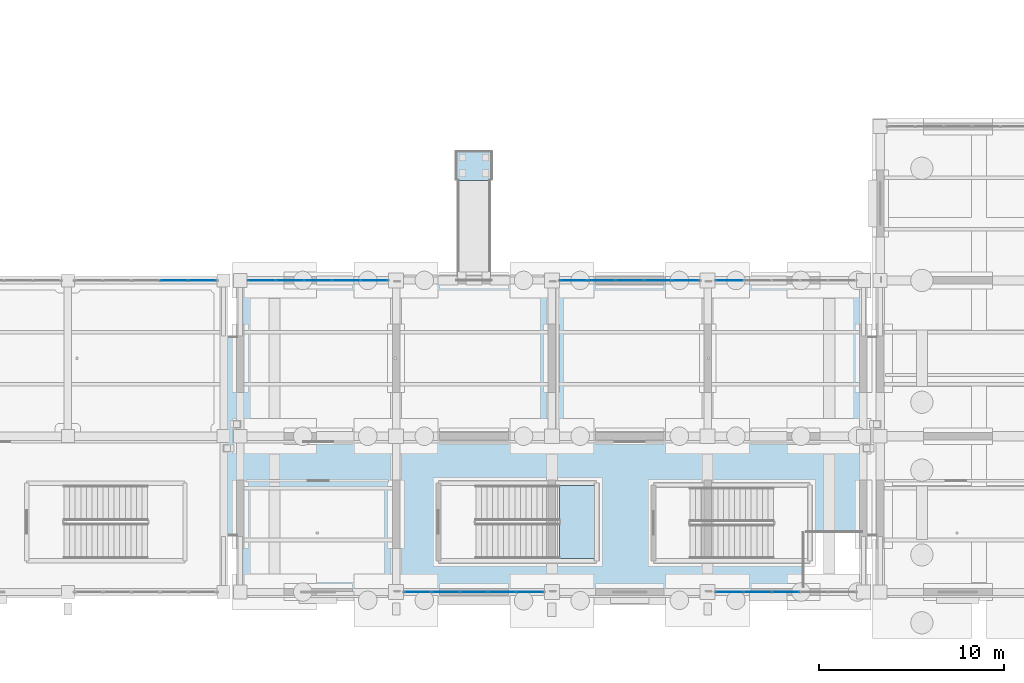
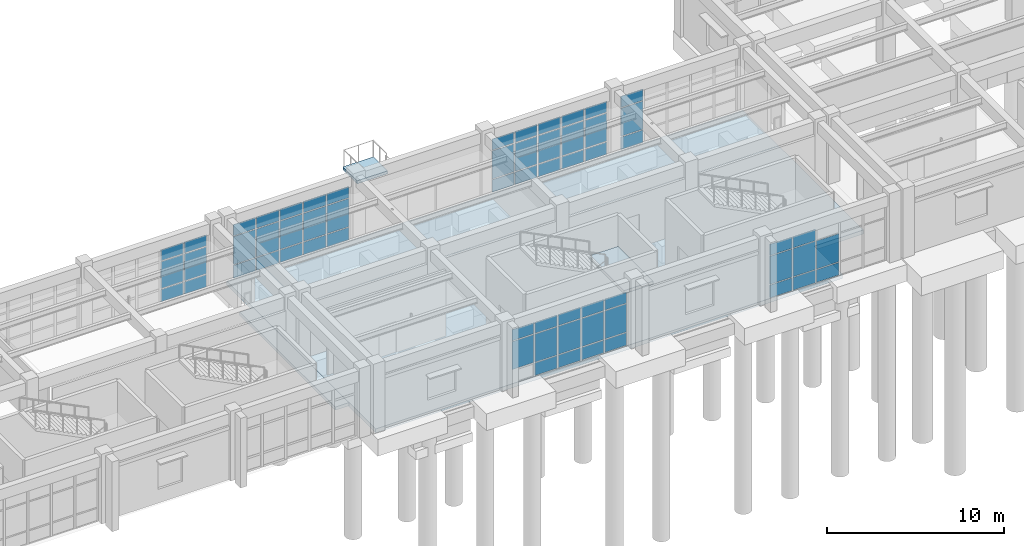
# One storey, part 75 of 111: 61 plates, 4 slabs, 7 elements without a shape of their own.
"""IFC4 building model written with IfcOpenShell, lengths in metres."""

from ifc_helpers import new_model, si_unit, direction, frame, origin, origin_2d, place, context, subcontext, project, spatial, polyline, rectangle, outline, extrude, material, layer, layer_set, type_object, element, aggregate, save


model = new_model("IFC4")

# Units and contexts
model_context = context("Model", 3, precision=1e-05, world=origin(), true_north=direction((0.0, 1.0)))
body_context = subcontext(model_context, "Body", "Model", "MODEL_VIEW")
ifc_project = project(units=[si_unit("LENGTHUNIT", "METRE"), si_unit("AREAUNIT", "SQUARE_METRE"), si_unit("VOLUMEUNIT", "CUBIC_METRE"), si_unit("PLANEANGLEUNIT", "RADIAN"), si_unit("MASSUNIT", "GRAM", prefix="KILO")], contexts=[model_context])

# Site, building, storey
site_placement = place(None, origin())
site = spatial("IfcSite", under=ifc_project, at=site_placement, CompositionType="ELEMENT")
building_placement = place(site_placement, origin())
building = spatial("IfcBuilding", under=site, at=building_placement, Name="Canglan Escarpment Cableway Terminal", CompositionType="ELEMENT")
storey_placement = place(building_placement, frame((0.0, 0.0, 4.800048828125)))
storey = spatial("IfcBuildingStorey", under=building, at=storey_placement, Name="L01", CompositionType="ELEMENT", Elevation=4.800048828125)

# Curtain wall, plates
ifc_material_1 = material(Name="Anodized bronze aluminium and Low-E double glazing", Category="aluminium")
curtain_wall_type_1 = type_object("IfcCurtainWallType", Name="CW-BAY-7600x3775", PredefinedType="NOTDEFINED", material=ifc_material_1)
curtain_wall_1_placement = place(storey_placement, origin())
curtain_wall_1 = element("IfcCurtainWall", 1, at=curtain_wall_1_placement, inside=storey, type_object=curtain_wall_type_1, Name="Classical bay-between-piers glazed curtain wall CW-09", PredefinedType="NOTDEFINED")
ifc_material_2 = material(Name="Double-silver Low-E laminated insulating glass", Category="glass")
ifc_layer_1 = layer(ifc_material_2, 0.02392578125, Name="Double-silver Low-E laminated insulating glass")
ifc_layer_set_1 = layer_set([ifc_layer_1], Name="Double-silver Low-E laminated insulating glass")
plate_type_1 = type_object("IfcPlateType", Name="CWP-01", PredefinedType="CURTAIN_PANEL", material=ifc_layer_set_1)
plate_1_placement = place(storey_placement, frame((86.576171875, 8.0, 0.97998046875), z_axis=(0.0, 0.0, 1.0), x_axis=(1.0, 0.0, 0.0)))
plate_1 = element("IfcPlate", 2, at=plate_1_placement, type_object=plate_type_1, Name="CW-09 panel 1.2", PredefinedType="CURTAIN_PANEL", context=body_context, shape_type="SweptSolid", body=[
    extrude(rectangle(XDim=1.422607421875, YDim=0.02392578125, at=origin_2d()), origin(), (0.0, 0.0, 1.0), 1.925048828125),
])
plate_2_placement = place(storey_placement, frame((86.576171875, 8.0, 2.96484375), z_axis=(0.0, 0.0, 1.0), x_axis=(1.0, 0.0, 0.0)))
plate_2 = element("IfcPlate", 3, at=plate_2_placement, type_object=plate_type_1, Name="CW-09 panel 1.3", PredefinedType="CURTAIN_PANEL", context=body_context, shape_type="SweptSolid", body=[
    extrude(rectangle(XDim=1.422607421875, YDim=0.02392578125, at=origin_2d()), origin(), (0.0, 0.0, 1.0), 0.760009765625),
])
plate_3_placement = place(storey_placement, frame((88.080078125, 8.0, 0.06005859375), z_axis=(0.0, 0.0, 1.0), x_axis=(1.0, 0.0, 0.0)))
plate_3 = element("IfcPlate", 4, at=plate_3_placement, type_object=plate_type_1, Name="CW-09 panel 2.1", PredefinedType="CURTAIN_PANEL", context=body_context, shape_type="SweptSolid", body=[
    extrude(rectangle(XDim=1.455078125, YDim=0.02392578125, at=origin_2d()), origin(), (0.0, 0.0, 1.0), 0.860107421875),
])
plate_4_placement = place(storey_placement, frame((88.080078125, 8.0, 0.97998046875), z_axis=(0.0, 0.0, 1.0), x_axis=(1.0, 0.0, 0.0)))
plate_4 = element("IfcPlate", 5, at=plate_4_placement, type_object=plate_type_1, Name="CW-09 panel 2.2", PredefinedType="CURTAIN_PANEL", context=body_context, shape_type="SweptSolid", body=[
    extrude(rectangle(XDim=1.455078125, YDim=0.02392578125, at=origin_2d()), origin(), (0.0, 0.0, 1.0), 1.925048828125),
])
plate_5_placement = place(storey_placement, frame((88.080078125, 8.0, 2.96484375), z_axis=(0.0, 0.0, 1.0), x_axis=(1.0, 0.0, 0.0)))
plate_5 = element("IfcPlate", 6, at=plate_5_placement, type_object=plate_type_1, Name="CW-09 panel 2.3", PredefinedType="CURTAIN_PANEL", context=body_context, shape_type="SweptSolid", body=[
    extrude(rectangle(XDim=1.455078125, YDim=0.02392578125, at=origin_2d()), origin(), (0.0, 0.0, 1.0), 0.760009765625),
])
plate_6_placement = place(storey_placement, frame((89.60009765625, 8.0, 0.06005859375), z_axis=(0.0, 0.0, 1.0), x_axis=(1.0, 0.0, 0.0)))
plate_6 = element("IfcPlate", 7, at=plate_6_placement, type_object=plate_type_1, Name="CW-09 panel 3.1", PredefinedType="CURTAIN_PANEL", context=body_context, shape_type="SweptSolid", body=[
    extrude(rectangle(XDim=1.455078125, YDim=0.02392578125, at=origin_2d()), origin(), (0.0, 0.0, 1.0), 0.860107421875),
])
plate_7_placement = place(storey_placement, frame((89.60009765625, 8.0, 0.97998046875), z_axis=(0.0, 0.0, 1.0), x_axis=(1.0, 0.0, 0.0)))
plate_7 = element("IfcPlate", 8, at=plate_7_placement, type_object=plate_type_1, Name="CW-09 panel 3.2", PredefinedType="CURTAIN_PANEL", context=body_context, shape_type="SweptSolid", body=[
    extrude(rectangle(XDim=1.455078125, YDim=0.02392578125, at=origin_2d()), origin(), (0.0, 0.0, 1.0), 1.925048828125),
])
plate_8_placement = place(storey_placement, frame((89.60009765625, 8.0, 2.96484375), z_axis=(0.0, 0.0, 1.0), x_axis=(1.0, 0.0, 0.0)))
plate_8 = element("IfcPlate", 9, at=plate_8_placement, type_object=plate_type_1, Name="CW-09 panel 3.3", PredefinedType="CURTAIN_PANEL", context=body_context, shape_type="SweptSolid", body=[
    extrude(rectangle(XDim=1.455078125, YDim=0.02392578125, at=origin_2d()), origin(), (0.0, 0.0, 1.0), 0.760009765625),
])
plate_9_placement = place(storey_placement, frame((91.1201171875, 8.0, 0.06005859375), z_axis=(0.0, 0.0, 1.0), x_axis=(1.0, 0.0, 0.0)))
plate_9 = element("IfcPlate", 10, at=plate_9_placement, type_object=plate_type_1, Name="CW-09 panel 4.1", PredefinedType="CURTAIN_PANEL", context=body_context, shape_type="SweptSolid", body=[
    extrude(rectangle(XDim=1.455078125, YDim=0.02392578125, at=origin_2d()), origin(), (0.0, 0.0, 1.0), 0.860107421875),
])
plate_10_placement = place(storey_placement, frame((91.1201171875, 8.0, 0.97998046875), z_axis=(0.0, 0.0, 1.0), x_axis=(1.0, 0.0, 0.0)))
plate_10 = element("IfcPlate", 11, at=plate_10_placement, type_object=plate_type_1, Name="CW-09 panel 4.2", PredefinedType="CURTAIN_PANEL", context=body_context, shape_type="SweptSolid", body=[
    extrude(rectangle(XDim=1.455078125, YDim=0.02392578125, at=origin_2d()), origin(), (0.0, 0.0, 1.0), 1.925048828125),
])
plate_11_placement = place(storey_placement, frame((91.1201171875, 8.0, 2.96484375), z_axis=(0.0, 0.0, 1.0), x_axis=(1.0, 0.0, 0.0)))
plate_11 = element("IfcPlate", 12, at=plate_11_placement, type_object=plate_type_1, Name="CW-09 panel 4.3", PredefinedType="CURTAIN_PANEL", context=body_context, shape_type="SweptSolid", body=[
    extrude(rectangle(XDim=1.455078125, YDim=0.02392578125, at=origin_2d()), origin(), (0.0, 0.0, 1.0), 0.760009765625),
])
plate_12_placement = place(storey_placement, frame((92.623779296875, 8.0, 0.06005859375), z_axis=(0.0, 0.0, 1.0), x_axis=(1.0, 0.0, 0.0)))
plate_12 = element("IfcPlate", 13, at=plate_12_placement, type_object=plate_type_1, Name="CW-09 panel 5.1", PredefinedType="CURTAIN_PANEL", context=body_context, shape_type="SweptSolid", body=[
    extrude(rectangle(XDim=1.422607421875, YDim=0.02392578125, at=origin_2d()), origin(), (0.0, 0.0, 1.0), 0.860107421875),
])
plate_13_placement = place(storey_placement, frame((92.623779296875, 8.0, 0.97998046875), z_axis=(0.0, 0.0, 1.0), x_axis=(1.0, 0.0, 0.0)))
plate_13 = element("IfcPlate", 14, at=plate_13_placement, type_object=plate_type_1, Name="CW-09 panel 5.2", PredefinedType="CURTAIN_PANEL", context=body_context, shape_type="SweptSolid", body=[
    extrude(rectangle(XDim=1.422607421875, YDim=0.02392578125, at=origin_2d()), origin(), (0.0, 0.0, 1.0), 1.925048828125),
])
plate_14_placement = place(storey_placement, frame((92.623779296875, 8.0, 2.96484375), z_axis=(0.0, 0.0, 1.0), x_axis=(1.0, 0.0, 0.0)))
plate_14 = element("IfcPlate", 15, at=plate_14_placement, type_object=plate_type_1, Name="CW-09 panel 5.3", PredefinedType="CURTAIN_PANEL", context=body_context, shape_type="SweptSolid", body=[
    extrude(rectangle(XDim=1.422607421875, YDim=0.02392578125, at=origin_2d()), origin(), (0.0, 0.0, 1.0), 0.760009765625),
])
aggregate(curtain_wall_1, [plate_1, plate_2, plate_3, plate_4, plate_5, plate_6, plate_7, plate_8, plate_9, plate_10, plate_11, plate_12, plate_13, plate_14])

curtain_wall_type_2 = type_object("IfcCurtainWallType", Name="CW-BAY-7700x3725", PredefinedType="NOTDEFINED", material=ifc_material_1)
curtain_wall_2_placement = place(storey_placement, origin())
curtain_wall_2 = element("IfcCurtainWall", 16, at=curtain_wall_2_placement, inside=storey, type_object=curtain_wall_type_2, Name="Classical bay-between-piers glazed curtain wall CW-06", PredefinedType="NOTDEFINED")
ifc_layer_2 = layer(ifc_material_2, 0.028076171875, Name="Double-silver Low-E laminated insulating glass")
ifc_layer_set_2 = layer_set([ifc_layer_2], Name="Double-silver Low-E laminated insulating glass")
plate_type_2 = type_object("IfcPlateType", Name="CWP-02", PredefinedType="CURTAIN_PANEL", material=ifc_layer_set_2)
plate_15_placement = place(storey_placement, frame((74.9638671875, 24.800048828125, 0.06494140625), z_axis=(0.0, 0.0, 1.0), x_axis=(-1.0, 0.0, 0.0)))
plate_15 = element("IfcPlate", 17, at=plate_15_placement, type_object=plate_type_2, Name="CW-06 panel 1.1", PredefinedType="CURTAIN_PANEL", context=body_context, shape_type="SweptSolid", body=[
    extrude(rectangle(XDim=1.4423828125, YDim=0.028076171875, at=origin_2d()), origin(), (0.0, 0.0, 1.0), 0.8525390625),
])
plate_16_placement = place(storey_placement, frame((74.9638671875, 24.800048828125, 0.982421875), z_axis=(0.0, 0.0, 1.0), x_axis=(-1.0, 0.0, 0.0)))
plate_16 = element("IfcPlate", 18, at=plate_16_placement, type_object=plate_type_2, Name="CW-06 panel 1.2", PredefinedType="CURTAIN_PANEL", context=body_context, shape_type="SweptSolid", body=[
    extrude(rectangle(XDim=1.4423828125, YDim=0.028076171875, at=origin_2d()), origin(), (0.0, 0.0, 1.0), 1.85009765625),
])
plate_17_placement = place(storey_placement, frame((74.9638671875, 24.800048828125, 2.8974609375), z_axis=(0.0, 0.0, 1.0), x_axis=(-1.0, 0.0, 0.0)))
plate_17 = element("IfcPlate", 19, at=plate_17_placement, type_object=plate_type_2, Name="CW-06 panel 1.3", PredefinedType="CURTAIN_PANEL", context=body_context, shape_type="SweptSolid", body=[
    extrude(rectangle(XDim=1.4423828125, YDim=0.028076171875, at=origin_2d()), origin(), (0.0, 0.0, 1.0), 0.75244140625),
])
plate_18_placement = place(storey_placement, frame((73.43994140625, 24.800048828125, 0.06494140625), z_axis=(0.0, 0.0, 1.0), x_axis=(-1.0, 0.0, 0.0)))
plate_18 = element("IfcPlate", 20, at=plate_18_placement, type_object=plate_type_2, Name="CW-06 panel 2.1", PredefinedType="CURTAIN_PANEL", context=body_context, shape_type="SweptSolid", body=[
    extrude(rectangle(XDim=1.47509765625, YDim=0.028076171875, at=origin_2d()), origin(), (0.0, 0.0, 1.0), 0.8525390625),
])
plate_19_placement = place(storey_placement, frame((73.43994140625, 24.800048828125, 0.982421875), z_axis=(0.0, 0.0, 1.0), x_axis=(-1.0, 0.0, 0.0)))
plate_19 = element("IfcPlate", 21, at=plate_19_placement, type_object=plate_type_2, Name="CW-06 panel 2.2", PredefinedType="CURTAIN_PANEL", context=body_context, shape_type="SweptSolid", body=[
    extrude(rectangle(XDim=1.47509765625, YDim=0.028076171875, at=origin_2d()), origin(), (0.0, 0.0, 1.0), 1.85009765625),
])
plate_20_placement = place(storey_placement, frame((73.43994140625, 24.800048828125, 2.8974609375), z_axis=(0.0, 0.0, 1.0), x_axis=(-1.0, 0.0, 0.0)))
plate_20 = element("IfcPlate", 22, at=plate_20_placement, type_object=plate_type_2, Name="CW-06 panel 2.3", PredefinedType="CURTAIN_PANEL", context=body_context, shape_type="SweptSolid", body=[
    extrude(rectangle(XDim=1.47509765625, YDim=0.028076171875, at=origin_2d()), origin(), (0.0, 0.0, 1.0), 0.75244140625),
])
aggregate(curtain_wall_2, [plate_15, plate_16, plate_17, plate_18, plate_19, plate_20])

curtain_wall_3_placement = place(storey_placement, origin())
curtain_wall_3 = element("IfcCurtainWall", 23, at=curtain_wall_3_placement, inside=storey, type_object=curtain_wall_type_1, Name="Classical bay-between-piers glazed curtain wall CW-09", PredefinedType="NOTDEFINED")
plate_21_placement = place(storey_placement, frame((101.023681640625, 24.800048828125, 0.06494140625), z_axis=(0.0, 0.0, 1.0), x_axis=(-1.0, 0.0, 0.0)))
plate_21 = element("IfcPlate", 24, at=plate_21_placement, type_object=plate_type_2, Name="CW-09 panel 1.1", PredefinedType="CURTAIN_PANEL", context=body_context, shape_type="SweptSolid", body=[
    extrude(rectangle(XDim=1.422607421875, YDim=0.028076171875, at=origin_2d()), origin(), (0.0, 0.0, 1.0), 0.8525390625),
])
plate_22_placement = place(storey_placement, frame((101.023681640625, 24.800048828125, 0.982421875), z_axis=(0.0, 0.0, 1.0), x_axis=(-1.0, 0.0, 0.0)))
plate_22 = element("IfcPlate", 25, at=plate_22_placement, type_object=plate_type_2, Name="CW-09 panel 1.2", PredefinedType="CURTAIN_PANEL", context=body_context, shape_type="SweptSolid", body=[
    extrude(rectangle(XDim=1.422607421875, YDim=0.028076171875, at=origin_2d()), origin(), (0.0, 0.0, 1.0), 1.919921875),
])
plate_23_placement = place(storey_placement, frame((101.023681640625, 24.800048828125, 2.967529296875), z_axis=(0.0, 0.0, 1.0), x_axis=(-1.0, 0.0, 0.0)))
plate_23 = element("IfcPlate", 26, at=plate_23_placement, type_object=plate_type_2, Name="CW-09 panel 1.3", PredefinedType="CURTAIN_PANEL", context=body_context, shape_type="SweptSolid", body=[
    extrude(rectangle(XDim=1.422607421875, YDim=0.028076171875, at=origin_2d()), origin(), (0.0, 0.0, 1.0), 0.75244140625),
])
plate_24_placement = place(storey_placement, frame((99.52001953125, 24.800048828125, 0.06494140625), z_axis=(0.0, 0.0, 1.0), x_axis=(-1.0, 0.0, 0.0)))
plate_24 = element("IfcPlate", 27, at=plate_24_placement, type_object=plate_type_2, Name="CW-09 panel 2.1", PredefinedType="CURTAIN_PANEL", context=body_context, shape_type="SweptSolid", body=[
    extrude(rectangle(XDim=1.455078125, YDim=0.028076171875, at=origin_2d()), origin(), (0.0, 0.0, 1.0), 0.8525390625),
])
plate_25_placement = place(storey_placement, frame((99.52001953125, 24.800048828125, 0.982421875), z_axis=(0.0, 0.0, 1.0), x_axis=(-1.0, 0.0, 0.0)))
plate_25 = element("IfcPlate", 28, at=plate_25_placement, type_object=plate_type_2, Name="CW-09 panel 2.2", PredefinedType="CURTAIN_PANEL", context=body_context, shape_type="SweptSolid", body=[
    extrude(rectangle(XDim=1.455078125, YDim=0.028076171875, at=origin_2d()), origin(), (0.0, 0.0, 1.0), 1.919921875),
])
plate_26_placement = place(storey_placement, frame((99.52001953125, 24.800048828125, 2.967529296875), z_axis=(0.0, 0.0, 1.0), x_axis=(-1.0, 0.0, 0.0)))
plate_26 = element("IfcPlate", 29, at=plate_26_placement, type_object=plate_type_2, Name="CW-09 panel 2.3", PredefinedType="CURTAIN_PANEL", context=body_context, shape_type="SweptSolid", body=[
    extrude(rectangle(XDim=1.455078125, YDim=0.028076171875, at=origin_2d()), origin(), (0.0, 0.0, 1.0), 0.75244140625),
])
plate_27_placement = place(storey_placement, frame((98.0, 24.800048828125, 0.06494140625), z_axis=(0.0, 0.0, 1.0), x_axis=(-1.0, 0.0, 0.0)))
plate_27 = element("IfcPlate", 30, at=plate_27_placement, type_object=plate_type_2, Name="CW-09 panel 3.1", PredefinedType="CURTAIN_PANEL", context=body_context, shape_type="SweptSolid", body=[
    extrude(rectangle(XDim=1.455078125, YDim=0.028076171875, at=origin_2d()), origin(), (0.0, 0.0, 1.0), 0.8525390625),
])
plate_28_placement = place(storey_placement, frame((98.0, 24.800048828125, 0.982421875), z_axis=(0.0, 0.0, 1.0), x_axis=(-1.0, 0.0, 0.0)))
plate_28 = element("IfcPlate", 31, at=plate_28_placement, type_object=plate_type_2, Name="CW-09 panel 3.2", PredefinedType="CURTAIN_PANEL", context=body_context, shape_type="SweptSolid", body=[
    extrude(rectangle(XDim=1.455078125, YDim=0.028076171875, at=origin_2d()), origin(), (0.0, 0.0, 1.0), 1.919921875),
])
plate_29_placement = place(storey_placement, frame((98.0, 24.800048828125, 2.967529296875), z_axis=(0.0, 0.0, 1.0), x_axis=(-1.0, 0.0, 0.0)))
plate_29 = element("IfcPlate", 32, at=plate_29_placement, type_object=plate_type_2, Name="CW-09 panel 3.3", PredefinedType="CURTAIN_PANEL", context=body_context, shape_type="SweptSolid", body=[
    extrude(rectangle(XDim=1.455078125, YDim=0.028076171875, at=origin_2d()), origin(), (0.0, 0.0, 1.0), 0.75244140625),
])
plate_30_placement = place(storey_placement, frame((96.47998046875, 24.800048828125, 0.06494140625), z_axis=(0.0, 0.0, 1.0), x_axis=(-1.0, 0.0, 0.0)))
plate_30 = element("IfcPlate", 33, at=plate_30_placement, type_object=plate_type_2, Name="CW-09 panel 4.1", PredefinedType="CURTAIN_PANEL", context=body_context, shape_type="SweptSolid", body=[
    extrude(rectangle(XDim=1.455078125, YDim=0.028076171875, at=origin_2d()), origin(), (0.0, 0.0, 1.0), 0.8525390625),
])
plate_31_placement = place(storey_placement, frame((96.47998046875, 24.800048828125, 0.982421875), z_axis=(0.0, 0.0, 1.0), x_axis=(-1.0, 0.0, 0.0)))
plate_31 = element("IfcPlate", 34, at=plate_31_placement, type_object=plate_type_2, Name="CW-09 panel 4.2", PredefinedType="CURTAIN_PANEL", context=body_context, shape_type="SweptSolid", body=[
    extrude(rectangle(XDim=1.455078125, YDim=0.028076171875, at=origin_2d()), origin(), (0.0, 0.0, 1.0), 1.919921875),
])
plate_32_placement = place(storey_placement, frame((96.47998046875, 24.800048828125, 2.967529296875), z_axis=(0.0, 0.0, 1.0), x_axis=(-1.0, 0.0, 0.0)))
plate_32 = element("IfcPlate", 35, at=plate_32_placement, type_object=plate_type_2, Name="CW-09 panel 4.3", PredefinedType="CURTAIN_PANEL", context=body_context, shape_type="SweptSolid", body=[
    extrude(rectangle(XDim=1.455078125, YDim=0.028076171875, at=origin_2d()), origin(), (0.0, 0.0, 1.0), 0.75244140625),
])
plate_33_placement = place(storey_placement, frame((94.976318359375, 24.800048828125, 0.06494140625), z_axis=(0.0, 0.0, 1.0), x_axis=(-1.0, 0.0, 0.0)))
plate_33 = element("IfcPlate", 36, at=plate_33_placement, type_object=plate_type_2, Name="CW-09 panel 5.1", PredefinedType="CURTAIN_PANEL", context=body_context, shape_type="SweptSolid", body=[
    extrude(rectangle(XDim=1.422607421875, YDim=0.028076171875, at=origin_2d()), origin(), (0.0, 0.0, 1.0), 0.8525390625),
])
plate_34_placement = place(storey_placement, frame((94.976318359375, 24.800048828125, 0.982421875), z_axis=(0.0, 0.0, 1.0), x_axis=(-1.0, 0.0, 0.0)))
plate_34 = element("IfcPlate", 37, at=plate_34_placement, type_object=plate_type_2, Name="CW-09 panel 5.2", PredefinedType="CURTAIN_PANEL", context=body_context, shape_type="SweptSolid", body=[
    extrude(rectangle(XDim=1.422607421875, YDim=0.028076171875, at=origin_2d()), origin(), (0.0, 0.0, 1.0), 1.919921875),
])
plate_35_placement = place(storey_placement, frame((94.976318359375, 24.800048828125, 2.967529296875), z_axis=(0.0, 0.0, 1.0), x_axis=(-1.0, 0.0, 0.0)))
plate_35 = element("IfcPlate", 38, at=plate_35_placement, type_object=plate_type_2, Name="CW-09 panel 5.3", PredefinedType="CURTAIN_PANEL", context=body_context, shape_type="SweptSolid", body=[
    extrude(rectangle(XDim=1.422607421875, YDim=0.028076171875, at=origin_2d()), origin(), (0.0, 0.0, 1.0), 0.75244140625),
])
aggregate(curtain_wall_3, [plate_21, plate_22, plate_23, plate_24, plate_25, plate_26, plate_27, plate_28, plate_29, plate_30, plate_31, plate_32, plate_33, plate_34, plate_35])

curtain_wall_type_3 = type_object("IfcCurtainWallType", Name="CW-BAY-7625x3775", PredefinedType="NOTDEFINED", material=ifc_material_1)
curtain_wall_4_placement = place(storey_placement, origin())
curtain_wall_4 = element("IfcCurtainWall", 39, at=curtain_wall_4_placement, inside=storey, type_object=curtain_wall_type_3, Name="Classical bay-between-piers glazed curtain wall CW-10", PredefinedType="NOTDEFINED")
ifc_layer_3 = layer(ifc_material_2, 0.031982421875, Name="Double-silver Low-E laminated insulating glass")
ifc_layer_set_3 = layer_set([ifc_layer_3], Name="Double-silver Low-E laminated insulating glass")
plate_type_3 = type_object("IfcPlateType", Name="CWP-03", PredefinedType="CURTAIN_PANEL", material=ifc_layer_set_3)
plate_36_placement = place(storey_placement, frame((103.37744140625, 8.0, 0.05517578125), z_axis=(0.0, 0.0, 1.0), x_axis=(1.0, 0.0, 0.0)))
plate_36 = element("IfcPlate", 40, at=plate_36_placement, type_object=plate_type_3, Name="CW-10 panel 1.1", PredefinedType="CURTAIN_PANEL", context=body_context, shape_type="SweptSolid", body=[
    extrude(rectangle(XDim=1.43505859375, YDim=0.031982421875, at=origin_2d()), origin(), (0.0, 0.0, 1.0), 0.867431640625),
])
plate_37_placement = place(storey_placement, frame((103.37744140625, 8.0, 0.9775390625), z_axis=(0.0, 0.0, 1.0), x_axis=(1.0, 0.0, 0.0)))
plate_37 = element("IfcPlate", 41, at=plate_37_placement, type_object=plate_type_3, Name="CW-10 panel 1.2", PredefinedType="CURTAIN_PANEL", context=body_context, shape_type="SweptSolid", body=[
    extrude(rectangle(XDim=1.43505859375, YDim=0.031982421875, at=origin_2d()), origin(), (0.0, 0.0, 1.0), 1.929931640625),
])
plate_38_placement = place(storey_placement, frame((103.37744140625, 8.0, 2.96240234375), z_axis=(0.0, 0.0, 1.0), x_axis=(1.0, 0.0, 0.0)))
plate_38 = element("IfcPlate", 42, at=plate_38_placement, type_object=plate_type_3, Name="CW-10 panel 1.3", PredefinedType="CURTAIN_PANEL", context=body_context, shape_type="SweptSolid", body=[
    extrude(rectangle(XDim=1.43505859375, YDim=0.031982421875, at=origin_2d()), origin(), (0.0, 0.0, 1.0), 0.767578125),
])
plate_39_placement = place(storey_placement, frame((104.887451171875, 8.0, 0.05517578125), z_axis=(0.0, 0.0, 1.0), x_axis=(1.0, 0.0, 0.0)))
plate_39 = element("IfcPlate", 43, at=plate_39_placement, type_object=plate_type_3, Name="CW-10 panel 2.1", PredefinedType="CURTAIN_PANEL", context=body_context, shape_type="SweptSolid", body=[
    extrude(rectangle(XDim=1.465087890625, YDim=0.031982421875, at=origin_2d()), origin(), (0.0, 0.0, 1.0), 0.867431640625),
])
plate_40_placement = place(storey_placement, frame((104.887451171875, 8.0, 0.9775390625), z_axis=(0.0, 0.0, 1.0), x_axis=(1.0, 0.0, 0.0)))
plate_40 = element("IfcPlate", 44, at=plate_40_placement, type_object=plate_type_3, Name="CW-10 panel 2.2", PredefinedType="CURTAIN_PANEL", context=body_context, shape_type="SweptSolid", body=[
    extrude(rectangle(XDim=1.465087890625, YDim=0.031982421875, at=origin_2d()), origin(), (0.0, 0.0, 1.0), 1.929931640625),
])
plate_41_placement = place(storey_placement, frame((104.887451171875, 8.0, 2.96240234375), z_axis=(0.0, 0.0, 1.0), x_axis=(1.0, 0.0, 0.0)))
plate_41 = element("IfcPlate", 45, at=plate_41_placement, type_object=plate_type_3, Name="CW-10 panel 2.3", PredefinedType="CURTAIN_PANEL", context=body_context, shape_type="SweptSolid", body=[
    extrude(rectangle(XDim=1.465087890625, YDim=0.031982421875, at=origin_2d()), origin(), (0.0, 0.0, 1.0), 0.767578125),
])
plate_42_placement = place(storey_placement, frame((106.41259765625, 8.0, 0.05517578125), z_axis=(0.0, 0.0, 1.0), x_axis=(1.0, 0.0, 0.0)))
plate_42 = element("IfcPlate", 46, at=plate_42_placement, type_object=plate_type_3, Name="CW-10 panel 3.1", PredefinedType="CURTAIN_PANEL", context=body_context, shape_type="SweptSolid", body=[
    extrude(rectangle(XDim=1.465087890625, YDim=0.031982421875, at=origin_2d()), origin(), (0.0, 0.0, 1.0), 0.867431640625),
])
plate_43_placement = place(storey_placement, frame((106.41259765625, 8.0, 0.9775390625), z_axis=(0.0, 0.0, 1.0), x_axis=(1.0, 0.0, 0.0)))
plate_43 = element("IfcPlate", 47, at=plate_43_placement, type_object=plate_type_3, Name="CW-10 panel 3.2", PredefinedType="CURTAIN_PANEL", context=body_context, shape_type="SweptSolid", body=[
    extrude(rectangle(XDim=1.465087890625, YDim=0.031982421875, at=origin_2d()), origin(), (0.0, 0.0, 1.0), 1.929931640625),
])
aggregate(curtain_wall_4, [plate_36, plate_37, plate_38, plate_39, plate_40, plate_41, plate_42, plate_43])

curtain_wall_5_placement = place(storey_placement, origin())
curtain_wall_5 = element("IfcCurtainWall", 48, at=curtain_wall_5_placement, inside=storey, type_object=curtain_wall_type_3, Name="Classical bay-between-piers glazed curtain wall CW-10", PredefinedType="NOTDEFINED")
plate_44_placement = place(storey_placement, frame((103.37744140625, 24.800048828125, 0.05517578125), z_axis=(0.0, 0.0, 1.0), x_axis=(-1.0, 0.0, 0.0)))
plate_44 = element("IfcPlate", 49, at=plate_44_placement, type_object=plate_type_3, Name="CW-10 panel 5.1", PredefinedType="CURTAIN_PANEL", context=body_context, shape_type="SweptSolid", body=[
    extrude(rectangle(XDim=1.43505859375, YDim=0.031982421875, at=origin_2d()), origin(), (0.0, 0.0, 1.0), 0.867431640625),
])
plate_45_placement = place(storey_placement, frame((103.37744140625, 24.800048828125, 0.9775390625), z_axis=(0.0, 0.0, 1.0), x_axis=(-1.0, 0.0, 0.0)))
plate_45 = element("IfcPlate", 50, at=plate_45_placement, type_object=plate_type_3, Name="CW-10 panel 5.2", PredefinedType="CURTAIN_PANEL", context=body_context, shape_type="SweptSolid", body=[
    extrude(rectangle(XDim=1.43505859375, YDim=0.031982421875, at=origin_2d()), origin(), (0.0, 0.0, 1.0), 1.929931640625),
])
plate_46_placement = place(storey_placement, frame((103.37744140625, 24.800048828125, 2.96240234375), z_axis=(0.0, 0.0, 1.0), x_axis=(-1.0, 0.0, 0.0)))
plate_46 = element("IfcPlate", 51, at=plate_46_placement, type_object=plate_type_3, Name="CW-10 panel 5.3", PredefinedType="CURTAIN_PANEL", context=body_context, shape_type="SweptSolid", body=[
    extrude(rectangle(XDim=1.43505859375, YDim=0.031982421875, at=origin_2d()), origin(), (0.0, 0.0, 1.0), 0.767578125),
])
aggregate(curtain_wall_5, [plate_44, plate_45, plate_46])

curtain_wall_6_placement = place(storey_placement, origin())
curtain_wall_6 = element("IfcCurtainWall", 52, at=curtain_wall_6_placement, inside=storey, type_object=curtain_wall_type_3, Name="Classical bay-between-piers glazed curtain wall CW-10", PredefinedType="NOTDEFINED")
ifc_layer_4 = layer(ifc_material_2, 0.035888671875, Name="Double-silver Low-E laminated insulating glass")
ifc_layer_set_4 = layer_set([ifc_layer_4], Name="Double-silver Low-E laminated insulating glass")
plate_type_4 = type_object("IfcPlateType", Name="CWP-04", PredefinedType="CURTAIN_PANEL", material=ifc_layer_set_4)
plate_47_placement = place(storey_placement, frame((84.222412109375, 24.800048828125, 0.05517578125), z_axis=(0.0, 0.0, 1.0), x_axis=(-1.0, 0.0, 0.0)))
plate_47 = element("IfcPlate", 53, at=plate_47_placement, type_object=plate_type_4, Name="CW-10 panel 1.1", PredefinedType="CURTAIN_PANEL", context=body_context, shape_type="SweptSolid", body=[
    extrude(rectangle(XDim=1.43505859375, YDim=0.035888671875, at=origin_2d()), origin(), (0.0, 0.0, 1.0), 0.867431640625),
])
plate_48_placement = place(storey_placement, frame((84.222412109375, 24.800048828125, 0.9775390625), z_axis=(0.0, 0.0, 1.0), x_axis=(-1.0, 0.0, 0.0)))
plate_48 = element("IfcPlate", 54, at=plate_48_placement, type_object=plate_type_4, Name="CW-10 panel 1.2", PredefinedType="CURTAIN_PANEL", context=body_context, shape_type="SweptSolid", body=[
    extrude(rectangle(XDim=1.43505859375, YDim=0.035888671875, at=origin_2d()), origin(), (0.0, 0.0, 1.0), 1.929931640625),
])
plate_49_placement = place(storey_placement, frame((84.222412109375, 24.800048828125, 2.96240234375), z_axis=(0.0, 0.0, 1.0), x_axis=(-1.0, 0.0, 0.0)))
plate_49 = element("IfcPlate", 55, at=plate_49_placement, type_object=plate_type_4, Name="CW-10 panel 1.3", PredefinedType="CURTAIN_PANEL", context=body_context, shape_type="SweptSolid", body=[
    extrude(rectangle(XDim=1.43505859375, YDim=0.035888671875, at=origin_2d()), origin(), (0.0, 0.0, 1.0), 0.767578125),
])
plate_50_placement = place(storey_placement, frame((82.71240234375, 24.800048828125, 0.05517578125), z_axis=(0.0, 0.0, 1.0), x_axis=(-1.0, 0.0, 0.0)))
plate_50 = element("IfcPlate", 56, at=plate_50_placement, type_object=plate_type_4, Name="CW-10 panel 2.1", PredefinedType="CURTAIN_PANEL", context=body_context, shape_type="SweptSolid", body=[
    extrude(rectangle(XDim=1.465087890625, YDim=0.035888671875, at=origin_2d()), origin(), (0.0, 0.0, 1.0), 0.867431640625),
])
plate_51_placement = place(storey_placement, frame((82.71240234375, 24.800048828125, 0.9775390625), z_axis=(0.0, 0.0, 1.0), x_axis=(-1.0, 0.0, 0.0)))
plate_51 = element("IfcPlate", 57, at=plate_51_placement, type_object=plate_type_4, Name="CW-10 panel 2.2", PredefinedType="CURTAIN_PANEL", context=body_context, shape_type="SweptSolid", body=[
    extrude(rectangle(XDim=1.465087890625, YDim=0.035888671875, at=origin_2d()), origin(), (0.0, 0.0, 1.0), 1.929931640625),
])
plate_52_placement = place(storey_placement, frame((82.71240234375, 24.800048828125, 2.96240234375), z_axis=(0.0, 0.0, 1.0), x_axis=(-1.0, 0.0, 0.0)))
plate_52 = element("IfcPlate", 58, at=plate_52_placement, type_object=plate_type_4, Name="CW-10 panel 2.3", PredefinedType="CURTAIN_PANEL", context=body_context, shape_type="SweptSolid", body=[
    extrude(rectangle(XDim=1.465087890625, YDim=0.035888671875, at=origin_2d()), origin(), (0.0, 0.0, 1.0), 0.767578125),
])
plate_53_placement = place(storey_placement, frame((81.1875, 24.800048828125, 0.05517578125), z_axis=(0.0, 0.0, 1.0), x_axis=(-1.0, 0.0, 0.0)))
plate_53 = element("IfcPlate", 59, at=plate_53_placement, type_object=plate_type_4, Name="CW-10 panel 3.1", PredefinedType="CURTAIN_PANEL", context=body_context, shape_type="SweptSolid", body=[
    extrude(rectangle(XDim=1.465087890625, YDim=0.035888671875, at=origin_2d()), origin(), (0.0, 0.0, 1.0), 0.867431640625),
])
plate_54_placement = place(storey_placement, frame((81.1875, 24.800048828125, 0.9775390625), z_axis=(0.0, 0.0, 1.0), x_axis=(-1.0, 0.0, 0.0)))
plate_54 = element("IfcPlate", 60, at=plate_54_placement, type_object=plate_type_4, Name="CW-10 panel 3.2", PredefinedType="CURTAIN_PANEL", context=body_context, shape_type="SweptSolid", body=[
    extrude(rectangle(XDim=1.465087890625, YDim=0.035888671875, at=origin_2d()), origin(), (0.0, 0.0, 1.0), 1.929931640625),
])
plate_55_placement = place(storey_placement, frame((81.1875, 24.800048828125, 2.96240234375), z_axis=(0.0, 0.0, 1.0), x_axis=(-1.0, 0.0, 0.0)))
plate_55 = element("IfcPlate", 61, at=plate_55_placement, type_object=plate_type_4, Name="CW-10 panel 3.3", PredefinedType="CURTAIN_PANEL", context=body_context, shape_type="SweptSolid", body=[
    extrude(rectangle(XDim=1.465087890625, YDim=0.035888671875, at=origin_2d()), origin(), (0.0, 0.0, 1.0), 0.767578125),
])
plate_56_placement = place(storey_placement, frame((79.66259765625, 24.800048828125, 0.05517578125), z_axis=(0.0, 0.0, 1.0), x_axis=(-1.0, 0.0, 0.0)))
plate_56 = element("IfcPlate", 62, at=plate_56_placement, type_object=plate_type_4, Name="CW-10 panel 4.1", PredefinedType="CURTAIN_PANEL", context=body_context, shape_type="SweptSolid", body=[
    extrude(rectangle(XDim=1.465087890625, YDim=0.035888671875, at=origin_2d()), origin(), (0.0, 0.0, 1.0), 0.867431640625),
])
plate_57_placement = place(storey_placement, frame((79.66259765625, 24.800048828125, 0.9775390625), z_axis=(0.0, 0.0, 1.0), x_axis=(-1.0, 0.0, 0.0)))
plate_57 = element("IfcPlate", 63, at=plate_57_placement, type_object=plate_type_4, Name="CW-10 panel 4.2", PredefinedType="CURTAIN_PANEL", context=body_context, shape_type="SweptSolid", body=[
    extrude(rectangle(XDim=1.465087890625, YDim=0.035888671875, at=origin_2d()), origin(), (0.0, 0.0, 1.0), 1.929931640625),
])
plate_58_placement = place(storey_placement, frame((79.66259765625, 24.800048828125, 2.96240234375), z_axis=(0.0, 0.0, 1.0), x_axis=(-1.0, 0.0, 0.0)))
plate_58 = element("IfcPlate", 64, at=plate_58_placement, type_object=plate_type_4, Name="CW-10 panel 4.3", PredefinedType="CURTAIN_PANEL", context=body_context, shape_type="SweptSolid", body=[
    extrude(rectangle(XDim=1.465087890625, YDim=0.035888671875, at=origin_2d()), origin(), (0.0, 0.0, 1.0), 0.767578125),
])
plate_59_placement = place(storey_placement, frame((78.152587890625, 24.800048828125, 0.05517578125), z_axis=(0.0, 0.0, 1.0), x_axis=(-1.0, 0.0, 0.0)))
plate_59 = element("IfcPlate", 65, at=plate_59_placement, type_object=plate_type_4, Name="CW-10 panel 5.1", PredefinedType="CURTAIN_PANEL", context=body_context, shape_type="SweptSolid", body=[
    extrude(rectangle(XDim=1.43505859375, YDim=0.035888671875, at=origin_2d()), origin(), (0.0, 0.0, 1.0), 0.867431640625),
])
plate_60_placement = place(storey_placement, frame((78.152587890625, 24.800048828125, 0.9775390625), z_axis=(0.0, 0.0, 1.0), x_axis=(-1.0, 0.0, 0.0)))
plate_60 = element("IfcPlate", 66, at=plate_60_placement, type_object=plate_type_4, Name="CW-10 panel 5.2", PredefinedType="CURTAIN_PANEL", context=body_context, shape_type="SweptSolid", body=[
    extrude(rectangle(XDim=1.43505859375, YDim=0.035888671875, at=origin_2d()), origin(), (0.0, 0.0, 1.0), 1.929931640625),
])
plate_61_placement = place(storey_placement, frame((78.152587890625, 24.800048828125, 2.96240234375), z_axis=(0.0, 0.0, 1.0), x_axis=(-1.0, 0.0, 0.0)))
plate_61 = element("IfcPlate", 67, at=plate_61_placement, type_object=plate_type_4, Name="CW-10 panel 5.3", PredefinedType="CURTAIN_PANEL", context=body_context, shape_type="SweptSolid", body=[
    extrude(rectangle(XDim=1.43505859375, YDim=0.035888671875, at=origin_2d()), origin(), (0.0, 0.0, 1.0), 0.767578125),
])
aggregate(curtain_wall_6, [plate_47, plate_48, plate_49, plate_50, plate_51, plate_52, plate_53, plate_54, plate_55, plate_56, plate_57, plate_58, plate_59, plate_60, plate_61])

# Slabs
ifc_material_3 = material(Name="Concrete C40", Category="concrete")
ifc_layer_5 = layer(ifc_material_3, 0.280029296875, Name="Concrete C40")
ifc_layer_set_5 = layer_set([ifc_layer_5], Name="Concrete C40")
slab_type_1 = type_object("IfcSlabType", Name="SLB-BASE-280", PredefinedType="BASESLAB", material=ifc_layer_set_5)
slab_1_placement = place(storey_placement, frame((0.0, 0.0, -0.280029296875)))
element("IfcSlab", 68, at=slab_1_placement, inside=storey, type_object=slab_type_1, Name="Reinforced concrete base slab SB-01", PredefinedType="BASESLAB", context=body_context, shape_type="SweptSolid", body=[
    extrude(outline(polyline([(77.0, 8.0), (107.39990234375, 8.0), (107.39990234375, 11.199951171875), (110.60009765625, 11.199951171875), (110.60009765625, 24.800048828125), (77.0, 24.800048828125), (77.0, 8.0)])), origin(), (0.0, 0.0, 1.0), 0.280029296875),
])
ifc_layer_6 = layer(ifc_material_3, 0.219970703125, Name="Concrete C40")
ifc_layer_set_6 = layer_set([ifc_layer_6], Name="Concrete C40")
slab_type_2 = type_object("IfcSlabType", Name="SLB-LINK-220", PredefinedType="FLOOR", material=ifc_layer_set_6)
slab_2_placement = place(storey_placement, frame((0.0, 0.0, -0.219970703125)))
element("IfcSlab", 69, at=slab_2_placement, inside=storey, type_object=slab_type_2, Name="Movement-joint concourse link slab MJ-S1", PredefinedType="FLOOR", context=body_context, shape_type="SweptSolid", body=[
    extrude(outline(polyline([(76.9951171875, 21.800048828125), (76.9951171875, 11.0), (76.10498046875, 11.0), (76.10498046875, 21.800048828125), (76.9951171875, 21.800048828125)])), origin(), (0.0, 0.0, 1.0), 0.219970703125),
])
ifc_layer_7 = layer(ifc_material_3, 0.199951171875, Name="Concrete C40")
ifc_layer_set_7 = layer_set([ifc_layer_7], Name="Concrete C40")
slab_type_3 = type_object("IfcSlabType", Name="SLB-RMP-LAND-200", PredefinedType="LANDING", material=ifc_layer_set_7)
slab_3_placement = place(storey_placement, frame((0.0, 0.0, -0.650146484375)))
element("IfcSlab", 70, at=slab_3_placement, inside=storey, type_object=slab_type_3, Name="Accessible Bench Courtyard Ramp 3 bottom landing", PredefinedType="LANDING", context=body_context, shape_type="SweptSolid", body=[
    extrude(outline(polyline([(88.60009765625, 30.199951171875), (90.60009765625, 30.199951171875), (90.60009765625, 31.800048828125), (88.60009765625, 31.800048828125), (88.60009765625, 30.199951171875)])), origin(), (0.0, 0.0, 1.0), 0.2001953125),
])

# Stair, slab
stair_type = type_object("IfcStairType", Name="STR-DOGLEG-1900", PredefinedType="HALF_TURN_STAIR", material=ifc_material_3)
stair_placement = place(storey_placement, origin())
stair = element("IfcStair", 71, at=stair_placement, inside=storey, type_object=stair_type, Name="L01 Protected Exit Stair ST-06", PredefinedType="HALF_TURN_STAIR")
ifc_layer_8 = layer(ifc_material_3, 0.199951171875, Name="Concrete C40")
ifc_layer_set_8 = layer_set([ifc_layer_8], Name="Concrete C40")
slab_type_4 = type_object("IfcSlabType", Name="SLB-STAIR-LAND-200", PredefinedType="LANDING", material=ifc_layer_set_8)
slab_4_placement = place(storey_placement, frame((0.0, 0.0, 2.199951171875)))
slab_4 = element("IfcSlab", 72, at=slab_4_placement, type_object=slab_type_4, Name="ST-06 landing 1", PredefinedType="LANDING", context=body_context, shape_type="SweptSolid", body=[
    extrude(outline(polyline([(94.199951171875, 9.800048828125), (96.10009765625, 9.800048828125), (96.10009765625, 13.75), (94.199951171875, 13.75), (94.199951171875, 9.800048828125)])), origin(), (0.0, 0.0, 1.0), 0.199951171875),
])
aggregate(stair, [slab_4])

save(model, "model.ifc")
